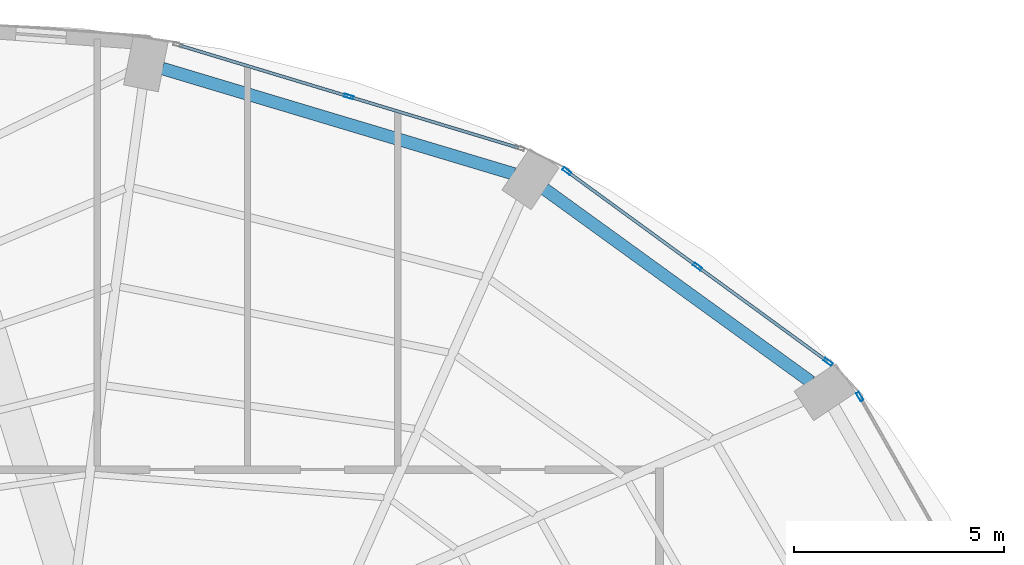
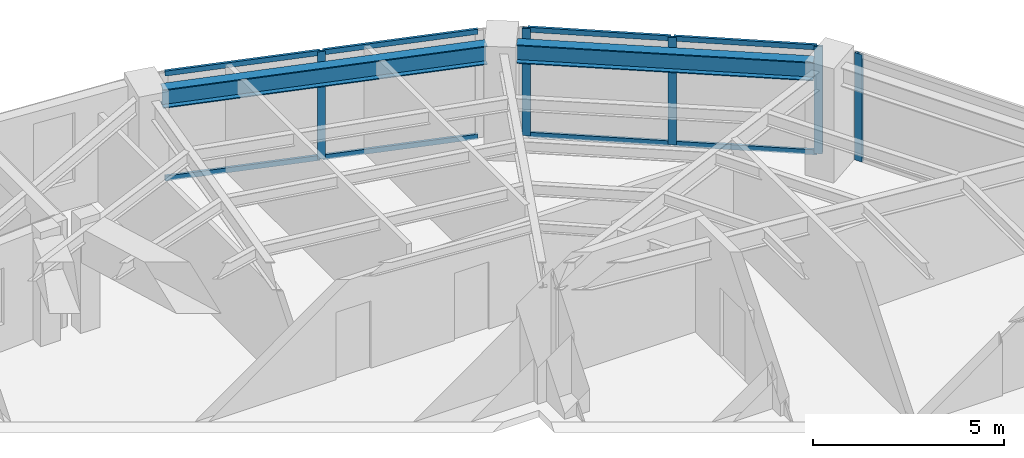
# One storey, part 17 of 23: 13 members, 2 beams, 3 elements without a shape of their own.
"""IFC4 building model written with IfcOpenShell, lengths in metres."""

from ifc_helpers import new_model, si_unit, direction, frame, origin, origin_2d, place, context, subcontext, project, spatial, hollow_rectangle, i_section, extrude, material, layer, layer_set, material_profile, profile_set, type_object, element, aggregate, save


model = new_model("IFC4")

# Units and contexts
model_context = context("Model", 3, precision=1e-05, world=origin(), true_north=direction((0.0, 1.0)))
body_context = subcontext(model_context, "Body", "Model", "MODEL_VIEW")
ifc_project = project(units=[si_unit("LENGTHUNIT", "METRE"), si_unit("AREAUNIT", "SQUARE_METRE"), si_unit("VOLUMEUNIT", "CUBIC_METRE"), si_unit("PLANEANGLEUNIT", "RADIAN"), si_unit("MASSUNIT", "GRAM", prefix="KILO")], contexts=[model_context])

# Site, building, storey
site_placement = place(None, origin())
site = spatial("IfcSite", under=ifc_project, at=site_placement, CompositionType="ELEMENT")
building_placement = place(site_placement, origin())
building = spatial("IfcBuilding", under=site, at=building_placement, Name="Lazwardi Medical Tower", CompositionType="ELEMENT")
storey_placement = place(building_placement, frame((0.0, 0.0, 85.39208984375)))
storey = spatial("IfcBuildingStorey", under=building, at=storey_placement, Name="L21", CompositionType="ELEMENT", Elevation=85.39208984375)

# Beams
ifc_material_1 = material(Name="Steel S355", Category="steel")
ifc_material_profile_1 = material_profile(ifc_material_1, i_section(OverallWidth=0.300048828125, OverallDepth=0.60009765625, WebThickness=0.015380859375, FlangeThickness=0.030029296875, at=origin_2d()), Name="HEB 600")
ifc_profile_set_1 = profile_set([ifc_material_profile_1], Name="Steel S355")
beam_type = type_object("IfcBeamType", Name="BM-RB-Z2", PredefinedType="BEAM", material=ifc_profile_set_1)
beam_1_placement = place(storey_placement, frame((56.74560546875, 40.835205078125, 3.1279296875), z_axis=(-0.81005674773, 0.586351486275, 0.0), x_axis=(-0.586351486275, -0.81005674773, 0.0)))
element("IfcBeam", 1, at=beam_1_placement, inside=storey, type_object=beam_type, Name="Ring beam RB-03 B06 L21", PredefinedType="BEAM", context=body_context, shape_type="SweptSolid", body=[
    extrude(i_section(OverallWidth=0.300048828125, OverallDepth=0.60009765625, WebThickness=0.015380859375, FlangeThickness=0.030029296875, at=origin_2d()), origin(), (0.0, 0.0, 1.0), 7.81396484375),
])
beam_2_placement = place(storey_placement, frame((49.69091796875, 45.775390625, 3.1279296875), z_axis=(-0.957879438442, 0.287170648587, 0.0), x_axis=(-0.287170648587, -0.957879438442, 0.0)))
element("IfcBeam", 2, at=beam_2_placement, inside=storey, type_object=beam_type, Name="Ring beam RB-03 B07 L21", PredefinedType="BEAM", context=body_context, shape_type="SweptSolid", body=[
    extrude(i_section(OverallWidth=0.300048828125, OverallDepth=0.60009765625, WebThickness=0.015380859375, FlangeThickness=0.030029296875, at=origin_2d()), origin(), (0.0, 0.0, 1.0), 8.719970703125),
])

# Curtain wall, member
ifc_material_2 = material(Name="Anodised bronze aluminium and solar control glazing", Category="aluminium")
ifc_layer = layer(ifc_material_2, 0.195068359375)
ifc_layer_set = layer_set([ifc_layer], Name="Anodised bronze aluminium and solar control glazing")
curtain_wall_type = type_object("IfcCurtainWallType", Name="CW-SYS-03", PredefinedType="NOTDEFINED", material=ifc_layer_set)
curtain_wall_1_placement = place(storey_placement, origin())
curtain_wall_1 = element("IfcCurtainWall", 3, at=curtain_wall_1_placement, inside=storey, type_object=curtain_wall_type, Name="L21 Unitised bronze curtain wall CW-03", PredefinedType="NOTDEFINED")
ifc_material_3 = material(Name="Anodised bronze aluminium", Category="aluminium")
ifc_material_profile_2 = material_profile(ifc_material_3, hollow_rectangle(XDim=0.074951171875, YDim=0.219970703125, WallThickness=0.00390625, at=origin_2d()), Name="ALU-MULLION 220x75x4")
ifc_profile_set_2 = profile_set([ifc_material_profile_2], Name="Anodised bronze aluminium")
member_type_1 = type_object("IfcMemberType", Name="CW-MUL-01", PredefinedType="MULLION", material=ifc_profile_set_2)
member_1_placement = place(storey_placement, frame((57.9072265625, 40.48583984375, 0.0), z_axis=(0.0, 0.0, 1.0), x_axis=(-0.869687265712, -0.493603140041, 0.0)))
member_1 = element("IfcMember", 4, at=member_1_placement, type_object=member_type_1, Name="CW-03 mullion 2", PredefinedType="MULLION", context=body_context, shape_type="SweptSolid", body=[
    extrude(hollow_rectangle(XDim=0.074951171875, YDim=0.219970703125, WallThickness=0.00390625, at=origin_2d()), origin(), (0.0, 0.0, 1.0), 3.427978515625),
])
aggregate(curtain_wall_1, [member_1])

# Curtain wall, members
curtain_wall_2_placement = place(storey_placement, origin())
curtain_wall_2 = element("IfcCurtainWall", 5, at=curtain_wall_2_placement, inside=storey, type_object=curtain_wall_type, Name="L21 Unitised bronze curtain wall CW-03", PredefinedType="NOTDEFINED")
member_2_placement = place(storey_placement, frame((57.155029296875, 41.308837890625, 0.0), z_axis=(0.0, 0.0, 1.0), x_axis=(-0.589530882802, -0.807745837639, 0.0)))
member_2 = element("IfcMember", 6, at=member_2_placement, type_object=member_type_1, Name="CW-03 mullion 1", PredefinedType="MULLION", context=body_context, shape_type="SweptSolid", body=[
    extrude(hollow_rectangle(XDim=0.074951171875, YDim=0.219970703125, WallThickness=0.00390625, at=origin_2d()), origin(), (0.0, 0.0, 1.0), 3.427978515625),
])
member_3_placement = place(storey_placement, frame((54.051025390625, 43.57421875, 0.0), z_axis=(0.0, 0.0, 1.0), x_axis=(-0.589530882802, -0.807745837639, 0.0)))
member_3 = element("IfcMember", 7, at=member_3_placement, type_object=member_type_1, Name="CW-03 mullion 2", PredefinedType="MULLION", context=body_context, shape_type="SweptSolid", body=[
    extrude(hollow_rectangle(XDim=0.074951171875, YDim=0.219970703125, WallThickness=0.00390625, at=origin_2d()), origin(), (0.0, 0.0, 1.0), 3.427978515625),
])
member_4_placement = place(storey_placement, frame((50.947265625, 45.839599609375, 0.0), z_axis=(0.0, 0.0, 1.0), x_axis=(-0.589530882802, -0.807745837639, 0.0)))
member_4 = element("IfcMember", 8, at=member_4_placement, type_object=member_type_1, Name="CW-03 mullion 3", PredefinedType="MULLION", context=body_context, shape_type="SweptSolid", body=[
    extrude(hollow_rectangle(XDim=0.074951171875, YDim=0.219970703125, WallThickness=0.00390625, at=origin_2d()), origin(), (0.0, 0.0, 1.0), 3.427978515625),
])

# Curtain wall, member
curtain_wall_3_placement = place(storey_placement, origin())
curtain_wall_3 = element("IfcCurtainWall", 9, at=curtain_wall_3_placement, inside=storey, type_object=curtain_wall_type, Name="L21 Unitised bronze curtain wall CW-03", PredefinedType="NOTDEFINED")
member_5_placement = place(storey_placement, frame((45.769287109375, 47.613037109375, 0.0), z_axis=(0.0, 0.0, 1.0), x_axis=(-0.28937381157, -0.957216170558, 0.0)))
member_5 = element("IfcMember", 10, at=member_5_placement, type_object=member_type_1, Name="CW-03 mullion 2", PredefinedType="MULLION", context=body_context, shape_type="SweptSolid", body=[
    extrude(hollow_rectangle(XDim=0.074951171875, YDim=0.219970703125, WallThickness=0.00390625, at=origin_2d()), origin(), (0.0, 0.0, 1.0), 3.427978515625),
])

# Member
ifc_material_profile_3 = material_profile(ifc_material_3, hollow_rectangle(XDim=0.074951171875, YDim=0.159912109375, WallThickness=0.00390625, at=origin_2d()), Name="ALU-TRANSOM 160x75x4")
ifc_profile_set_3 = profile_set([ifc_material_profile_3], Name="Anodised bronze aluminium")
member_type_2 = type_object("IfcMemberType", Name="CW-TRN-01", PredefinedType="USERDEFINED", material=ifc_profile_set_3)
member_6_placement = place(storey_placement, frame((57.12451171875, 41.3310546875, 0.037353515625), z_axis=(-0.807731734271, 0.589550206049, 0.0), x_axis=(-0.589550206049, -0.807731734271, 0.0)))
member_6 = element("IfcMember", 11, at=member_6_placement, type_object=member_type_2, Name="CW-03 transom 1.1", ObjectType="TRANSOM", PredefinedType="USERDEFINED", context=body_context, shape_type="SweptSolid", body=[
    extrude(hollow_rectangle(XDim=0.074951171875, YDim=0.159912109375, WallThickness=0.00390625, at=origin_2d()), origin(), (0.0, 0.0, 1.0), 3.767578125),
])

member_7_placement = place(storey_placement, frame((57.12451171875, 41.3310546875, 3.390380859375), z_axis=(-0.807731734271, 0.589550206049, 0.0), x_axis=(-0.589550206049, -0.807731734271, 0.0)))
member_7 = element("IfcMember", 12, at=member_7_placement, type_object=member_type_2, Name="CW-03 transom 1.2", ObjectType="TRANSOM", PredefinedType="USERDEFINED", context=body_context, shape_type="SweptSolid", body=[
    extrude(hollow_rectangle(XDim=0.074951171875, YDim=0.159912109375, WallThickness=0.00390625, at=origin_2d()), origin(), (0.0, 0.0, 1.0), 3.767578125),
])

member_8_placement = place(storey_placement, frame((54.020751953125, 43.596435546875, 0.037353515625), z_axis=(-0.80776259199, 0.58950792614, 0.0), x_axis=(-0.58950792614, -0.80776259199, 0.0)))
member_8 = element("IfcMember", 13, at=member_8_placement, type_object=member_type_2, Name="CW-03 transom 2.1", ObjectType="TRANSOM", PredefinedType="USERDEFINED", context=body_context, shape_type="SweptSolid", body=[
    extrude(hollow_rectangle(XDim=0.074951171875, YDim=0.159912109375, WallThickness=0.00390625, at=origin_2d()), origin(), (0.0, 0.0, 1.0), 3.767578125),
])

member_9_placement = place(storey_placement, frame((54.020751953125, 43.596435546875, 3.390380859375), z_axis=(-0.80776259199, 0.58950792614, 0.0), x_axis=(-0.58950792614, -0.80776259199, 0.0)))
member_9 = element("IfcMember", 14, at=member_9_placement, type_object=member_type_2, Name="CW-03 transom 2.2", ObjectType="TRANSOM", PredefinedType="USERDEFINED", context=body_context, shape_type="SweptSolid", body=[
    extrude(hollow_rectangle(XDim=0.074951171875, YDim=0.159912109375, WallThickness=0.00390625, at=origin_2d()), origin(), (0.0, 0.0, 1.0), 3.767578125),
])

aggregate(curtain_wall_2, [member_2, member_3, member_4, member_6, member_7, member_8, member_9])

member_10_placement = place(storey_placement, frame((49.79248046875, 46.396728515625, 0.037353515625), z_axis=(-0.957204630929, 0.289411980623, 0.0), x_axis=(-0.289411980623, -0.957204630929, 0.0)))
member_10 = element("IfcMember", 15, at=member_10_placement, type_object=member_type_2, Name="CW-03 transom 1.1", ObjectType="TRANSOM", PredefinedType="USERDEFINED", context=body_context, shape_type="SweptSolid", body=[
    extrude(hollow_rectangle(XDim=0.074951171875, YDim=0.159912109375, WallThickness=0.00390625, at=origin_2d()), origin(), (0.0, 0.0, 1.0), 4.16552734375),
])

member_11_placement = place(storey_placement, frame((49.79248046875, 46.396728515625, 3.390380859375), z_axis=(-0.957204630929, 0.289411980623, 0.0), x_axis=(-0.289411980623, -0.957204630929, 0.0)))
member_11 = element("IfcMember", 16, at=member_11_placement, type_object=member_type_2, Name="CW-03 transom 1.2", ObjectType="TRANSOM", PredefinedType="USERDEFINED", context=body_context, shape_type="SweptSolid", body=[
    extrude(hollow_rectangle(XDim=0.074951171875, YDim=0.159912109375, WallThickness=0.00390625, at=origin_2d()), origin(), (0.0, 0.0, 1.0), 4.16552734375),
])

member_12_placement = place(storey_placement, frame((45.7333984375, 47.6240234375, 0.037353515625), z_axis=(-0.957220865985, 0.289358279168, 0.0), x_axis=(-0.289358279168, -0.957220865985, 0.0)))
member_12 = element("IfcMember", 17, at=member_12_placement, type_object=member_type_2, Name="CW-03 transom 2.1", ObjectType="TRANSOM", PredefinedType="USERDEFINED", context=body_context, shape_type="SweptSolid", body=[
    extrude(hollow_rectangle(XDim=0.074951171875, YDim=0.159912109375, WallThickness=0.00390625, at=origin_2d()), origin(), (0.0, 0.0, 1.0), 4.16552734375),
])

member_13_placement = place(storey_placement, frame((45.7333984375, 47.6240234375, 3.390380859375), z_axis=(-0.957220865985, 0.289358279168, 0.0), x_axis=(-0.289358279168, -0.957220865985, 0.0)))
member_13 = element("IfcMember", 18, at=member_13_placement, type_object=member_type_2, Name="CW-03 transom 2.2", ObjectType="TRANSOM", PredefinedType="USERDEFINED", context=body_context, shape_type="SweptSolid", body=[
    extrude(hollow_rectangle(XDim=0.074951171875, YDim=0.159912109375, WallThickness=0.00390625, at=origin_2d()), origin(), (0.0, 0.0, 1.0), 4.16552734375),
])

aggregate(curtain_wall_3, [member_5, member_10, member_11, member_12, member_13])

save(model, "model.ifc")
